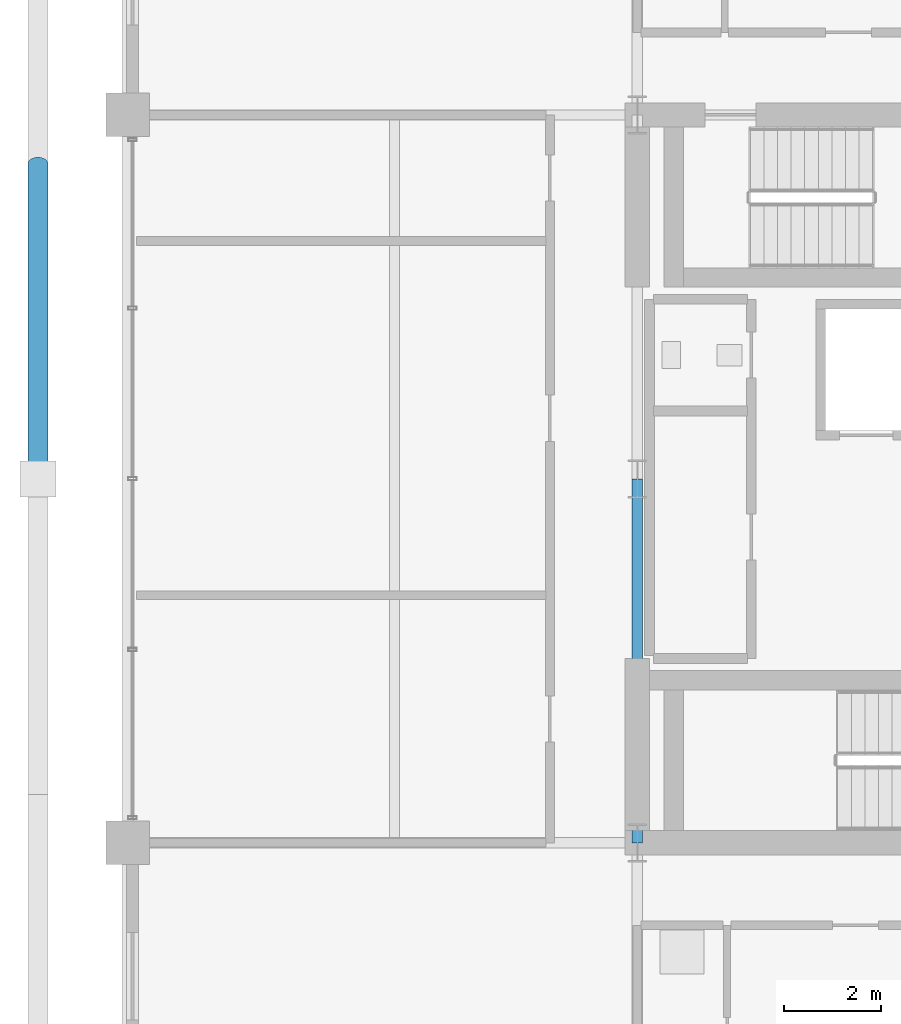
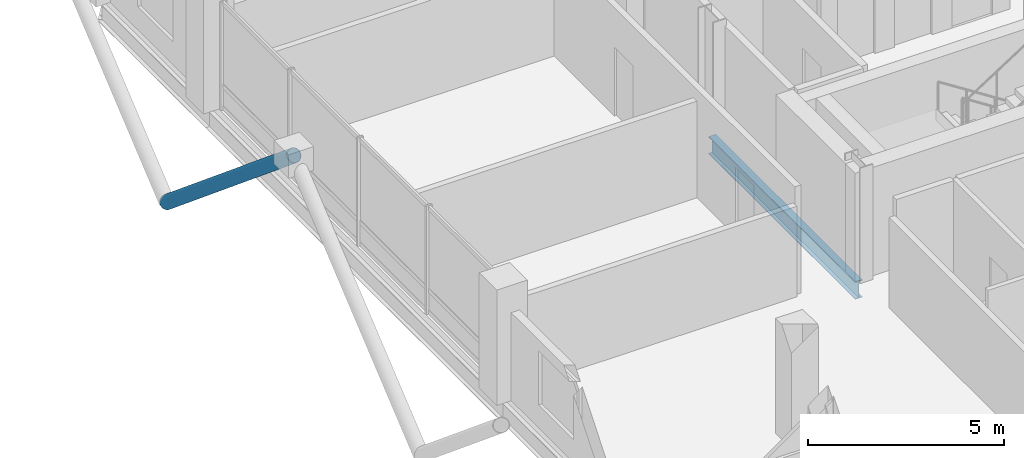
# One storey, part 8 of 23: 1 beam, 1 member.
"""IFC4 building model written with IfcOpenShell, lengths in metres."""

from ifc_helpers import new_model, si_unit, direction, frame, origin, origin_2d, place, context, subcontext, project, spatial, hollow_circle, i_section, extrude, material, material_profile, profile_set, type_object, element, save


model = new_model("IFC4")

# Units and contexts
model_context = context("Model", 3, precision=1e-05, world=origin(), true_north=direction((0.0, 1.0)))
body_context = subcontext(model_context, "Body", "Model", "MODEL_VIEW")
ifc_project = project(units=[si_unit("LENGTHUNIT", "METRE"), si_unit("AREAUNIT", "SQUARE_METRE"), si_unit("VOLUMEUNIT", "CUBIC_METRE"), si_unit("PLANEANGLEUNIT", "RADIAN"), si_unit("MASSUNIT", "GRAM", prefix="KILO")], contexts=[model_context])

# Site, building, storey
site_placement = place(None, origin())
site = spatial("IfcSite", under=ifc_project, at=site_placement, CompositionType="ELEMENT")
building_placement = place(site_placement, origin())
building = spatial("IfcBuilding", under=site, at=building_placement, Name="Barlavira Tower and Art Museum", CompositionType="ELEMENT")
storey_placement = place(building_placement, frame((0.0, 0.0, 236.699951171875)))
storey = spatial("IfcBuildingStorey", under=building, at=storey_placement, Name="L61", CompositionType="ELEMENT", Elevation=236.699951171875)

# Member
ifc_material = material(Name="Steel S355", Category="steel")
ifc_material_profile_1 = material_profile(ifc_material, hollow_circle(Radius=0.203125, WallThickness=0.01611328125, at=origin_2d()), Name="CHS 406.4x16.0")
ifc_profile_set_1 = profile_set([ifc_material_profile_1], Name="Steel S355")
member_type = type_object("IfcMemberType", Name="Pale-Metal Exoskeleton Diagrid Tube CHS 406x16 Steel S355", PredefinedType="BRACE", material=ifc_profile_set_1)
member_placement = place(storey_placement, frame((-18.85009765625, 6.5, -1.919921875), z_axis=(0.0, -0.769196053329, 0.639012857104), x_axis=(1.0, 0.0, 0.0)))
element("IfcMember", 1, at=member_placement, inside=storey, type_object=member_type, Name="L61 Exoskeleton Diagrid Tube W", PredefinedType="BRACE", context=body_context, shape_type="SweptSolid", body=[
    extrude(hollow_circle(Radius=0.203125, WallThickness=0.01611328125, at=origin_2d()), origin(), (0.0, 0.0, 1.0), 8.450439453125),
])

# Beam
ifc_material_profile_2 = material_profile(ifc_material, i_section(OverallWidth=0.2109375, OverallDepth=0.5390625, WebThickness=0.01171875, FlangeThickness=0.018798828125, at=origin_2d()), Name="W530x109.0")
ifc_profile_set_2 = profile_set([ifc_material_profile_2], Name="Steel S355")
beam_type = type_object("IfcBeamType", Name="Zone 3-4 Primary Floor Girder W530x109 Steel S355", PredefinedType="BEAM", material=ifc_profile_set_2)
beam_placement = place(storey_placement, frame((-6.5, -7.5, -0.489501953125), z_axis=(0.0, 1.0, 0.0), x_axis=(-1.0, 0.0, 0.0)))
element("IfcBeam", 2, at=beam_placement, inside=storey, type_object=beam_type, Name="L61 Girder C-W1", PredefinedType="BEAM", context=body_context, shape_type="SweptSolid", body=[
    extrude(i_section(OverallWidth=0.2109375, OverallDepth=0.5390625, WebThickness=0.01171875, FlangeThickness=0.018798828125, at=origin_2d()), origin(), (0.0, 0.0, 1.0), 7.5),
])

save(model, "model.ifc")
